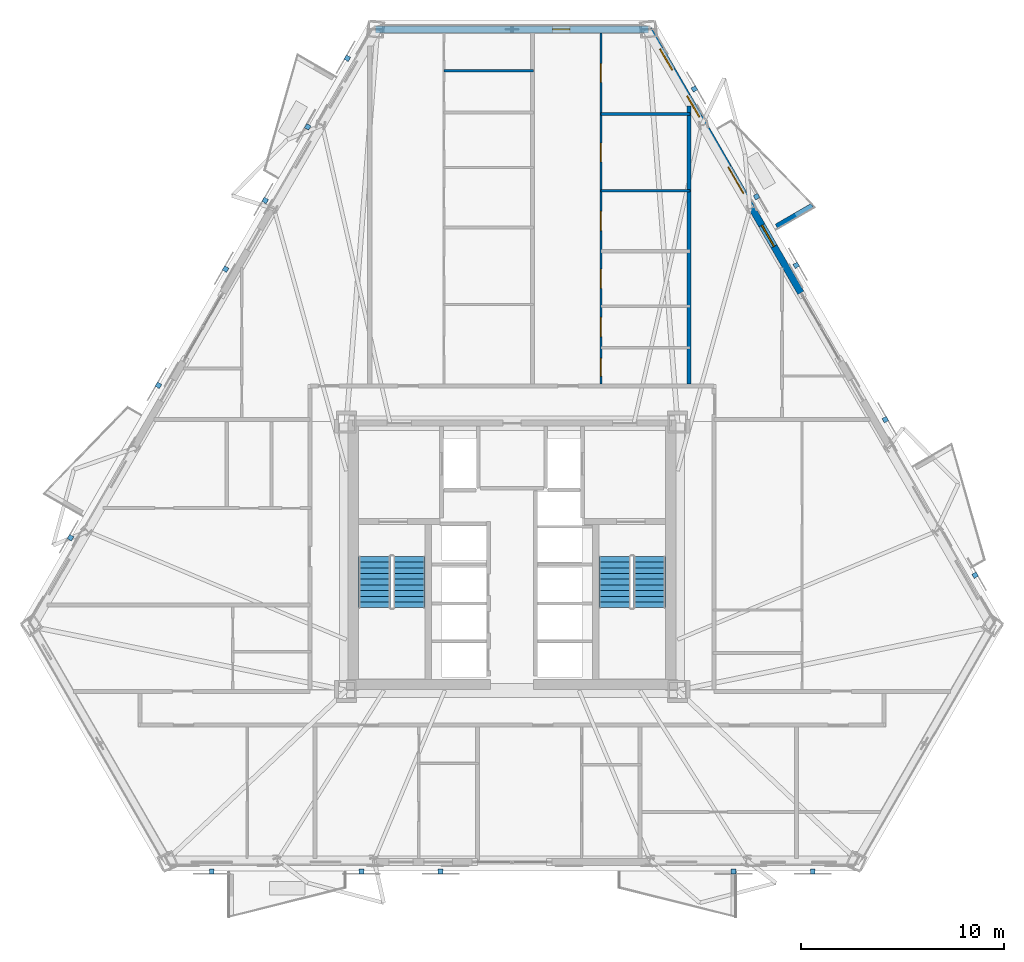
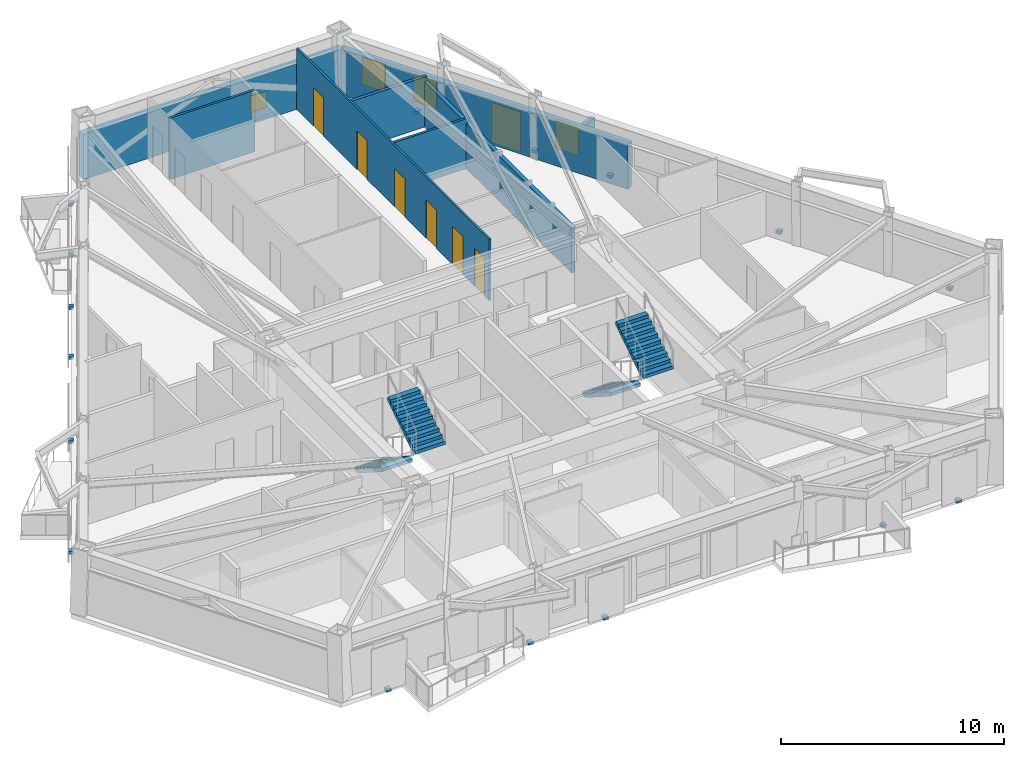
# One storey, part 13 of 17: 16 discrete accessories, 8 walls, 7 doors, 4 stair flights, 4 windows, 11 openings, 2 elements without a shape of their own.
"""IFC4 building model written with IfcOpenShell, lengths in metres."""

import ifcopenshell
import ifcopenshell.guid

model = None  # the IFC model being written
_history = None  # IfcOwnerHistory: only IFC2X3 demands one
_inside = {}  # id of a spatial element -> (the spatial element, [elements in it])
_under = {}  # id of a project, library or spatial element -> (it, [spatial elements below it])
_declared = {}  # id of a project -> (the project, [libraries it declares])
_typed = {}  # id of a type object -> (the type object, [elements of that type])
_made_of = {}  # id of a material, layer set ... -> (it, [elements and type objects made of it])


def new_model(schema):
    """Start an empty IFC model of exactly this schema.

    Asked for "IFC4X3", IfcOpenShell would pick the latest addendum, in which some entities
    have other attributes; the version numbers below select the first issue.
    IFC2X3 requires an IfcOwnerHistory on every rooted entity: one is made here for all.
    """
    global model, _history
    if schema == "IFC4X3":
        model = ifcopenshell.file(schema_version=(4, 3, 0, 0))
    else:
        model = ifcopenshell.file(schema=schema)
    _inside.clear()
    _under.clear()
    _declared.clear()
    _typed.clear()
    _made_of.clear()
    _history = None
    if model.schema == "IFC2X3":
        org = make("IfcOrganization", Name="unknown")
        user = make(
            "IfcPersonAndOrganization",
            ThePerson=make("IfcPerson", FamilyName="unknown"),
            TheOrganization=org,
        )
        app = make(
            "IfcApplication",
            ApplicationDeveloper=org,
            Version="unknown",
            ApplicationFullName="unknown",
            ApplicationIdentifier="unknown",
        )
        _history = make(
            "IfcOwnerHistory",
            OwningUser=user,
            OwningApplication=app,
            ChangeAction="ADDED",
            CreationDate=0,
        )
    return model


def make(cls, **values):
    """One entity of the class cls with the attributes given. An attribute that is None is left unset."""
    return model.create_entity(
        cls, **{name: value for name, value in values.items() if value is not None}
    )


def rooted(cls, **values):
    """An entity with a GlobalId (a new one), such as an element, a storey or a relation."""
    return make(cls, GlobalId=ifcopenshell.guid.new(), OwnerHistory=_history, **values)


def si_unit(unit_type, name, prefix=None):
    """IfcSIUnit, for example si_unit("LENGTHUNIT", "METRE", prefix="MILLI")."""
    return make("IfcSIUnit", UnitType=unit_type, Prefix=prefix, Name=name)


def assignment(units):
    """IfcUnitAssignment: the units of a project."""
    return None if units is None else make("IfcUnitAssignment", Units=units)


def point(xyz):
    """IfcCartesianPoint."""
    return None if xyz is None else make("IfcCartesianPoint", Coordinates=xyz)


def direction(xyz):
    """IfcDirection."""
    return None if xyz is None else make("IfcDirection", DirectionRatios=xyz)


def frame(location, z_axis=None, x_axis=None):
    """IfcAxis2Placement3D, a coordinate frame: its origin and axes. An axis left out is left unset."""
    return make(
        "IfcAxis2Placement3D",
        Location=point(location),
        Axis=direction(z_axis),
        RefDirection=direction(x_axis),
    )


def frame_2d(location, x_axis=None):
    """IfcAxis2Placement2D, a coordinate frame in the plane: its origin and x axis."""
    return make(
        "IfcAxis2Placement2D", Location=point(location), RefDirection=direction(x_axis)
    )


def origin():
    """The frame at (0, 0, 0) with its axes left unset."""
    return frame((0.0, 0.0, 0.0))


def origin_2d():
    """The frame at (0, 0) in the plane with its x axis left unset."""
    return frame_2d((0.0, 0.0))


def place(relative_to, where):
    """IfcLocalPlacement: puts the frame where relative to a parent placement (None: the world)."""
    return make(
        "IfcLocalPlacement", PlacementRelTo=relative_to, RelativePlacement=where
    )


def context(
    kind, dimensions, precision=None, world=None, true_north=None, identifier=None
):
    """IfcGeometricRepresentationContext, for example the 3D "Model" context."""
    return make(
        "IfcGeometricRepresentationContext",
        ContextIdentifier=identifier,
        ContextType=kind,
        CoordinateSpaceDimension=dimensions,
        Precision=precision,
        WorldCoordinateSystem=world,
        TrueNorth=true_north,
    )


def subcontext(parent, identifier, kind, view, scale=None):
    """IfcGeometricRepresentationSubContext, for example "Body" below "Model"."""
    return make(
        "IfcGeometricRepresentationSubContext",
        ContextIdentifier=identifier,
        ContextType=kind,
        ParentContext=parent,
        TargetScale=scale,
        TargetView=view,
    )


def project(units=None, contexts=None):
    """IfcProject with its units and contexts."""
    return rooted(
        "IfcProject",
        Name="project",
        RepresentationContexts=contexts,
        UnitsInContext=assignment(units),
    )


def spatial(cls, under=None, at=None, **own):
    """A site, building, storey or space (cls), placed at a placement, below another one or the project."""
    s = rooted(cls, ObjectPlacement=at, **own)
    if under is not None:
        _under.setdefault(under.id(), (under, []))[1].append(s)
    return s


def polyline(points):
    """IfcPolyline through the points."""
    return make("IfcPolyline", Points=[point(p) for p in points])


def profile(cls, at=None, kind="AREA", **sizes):
    """A parametric profile (cls). Its sizes go by their IFC names, for example OverallWidth=200.0."""
    return make(cls, ProfileType=kind, Position=at, **sizes)


def rectangle(**sizes):
    """IfcRectangleProfileDef."""
    return profile("IfcRectangleProfileDef", **sizes)


def outline(outer, holes=None, kind="AREA"):
    """IfcArbitraryClosedProfileDef: a profile drawn as a closed curve; with holes, ...WithVoids."""
    if holes is None:
        return make("IfcArbitraryClosedProfileDef", ProfileType=kind, OuterCurve=outer)
    return make(
        "IfcArbitraryProfileDefWithVoids",
        ProfileType=kind,
        OuterCurve=outer,
        InnerCurves=holes,
    )


def extrude(swept, where, along, depth):
    """IfcExtrudedAreaSolid: the profile swept, set in the frame where, extruded along a direction by depth."""
    return make(
        "IfcExtrudedAreaSolid",
        SweptArea=swept,
        Position=where,
        ExtrudedDirection=direction(along),
        Depth=depth,
    )


def shape(context_of_items, identifier, shape_type, items):
    """IfcShapeRepresentation: the items that make up one representation, for example the "Body"."""
    return make(
        "IfcShapeRepresentation",
        ContextOfItems=context_of_items,
        RepresentationIdentifier=identifier,
        RepresentationType=shape_type,
        Items=items,
    )


def material(Name=None, Category=None):
    """IfcMaterial."""
    return make("IfcMaterial", Name=Name, Category=Category)


def layer(
    of_material, thickness, ventilated=None, Name=None, Category=None, Priority=None
):
    """IfcMaterialLayer: one layer of a wall or slab, of a material (None: an air gap)."""
    return make(
        "IfcMaterialLayer",
        Material=of_material,
        LayerThickness=thickness,
        IsVentilated=ventilated,
        Name=Name,
        Category=Category,
        Priority=Priority,
    )


def layer_set(layers, Name=None):
    """IfcMaterialLayerSet."""
    return make("IfcMaterialLayerSet", MaterialLayers=layers, LayerSetName=Name)


def made_of(thing, what):
    """Note that an element or type object is made of a material, layer set ...; save() writes the relation."""
    if what is not None:
        _made_of.setdefault(what.id(), (what, []))[1].append(thing)
    return thing


def type_object(cls, material=None, **own):
    """A type object (cls), such as IfcWallType, which elements share."""
    return made_of(rooted(cls, **own), material)


def element(
    cls,
    number,
    at=None,
    inside=None,
    cuts=None,
    type_object=None,
    material=None,
    context=None,
    identifier="Body",
    shape_type=None,
    held_by="IfcProductDefinitionShape",
    body=None,
    shapes=None,
    **own,
):
    """One element of the class cls, such as IfcWall. Its Tag is "e" and its number.

    at: its placement. inside: the storey or other place that contains it. cuts: it is an
    opening in that element (IfcRelVoidsElement). A single representation is given by context,
    identifier, shape_type and body (its items); several are given by shapes. held_by: the class
    of the entity that holds the representations. save() writes the other relations.
    """
    e = rooted(cls, Tag="e%d" % number, ObjectPlacement=at, **own)
    if body is not None:
        shapes = [shape(context, identifier, shape_type, body)]
    if shapes is not None:
        e.Representation = make(held_by, Representations=shapes)
    if inside is not None:
        _inside.setdefault(inside.id(), (inside, []))[1].append(e)
    if cuts is not None:
        rooted(
            "IfcRelVoidsElement", RelatingBuildingElement=cuts, RelatedOpeningElement=e
        )
    if type_object is not None:
        _typed.setdefault(type_object.id(), (type_object, []))[1].append(e)
    return made_of(e, material)


def fill(opening, filler):
    """IfcRelFillsElement: the door or window that sits in an opening."""
    return rooted(
        "IfcRelFillsElement",
        RelatingOpeningElement=opening,
        RelatedBuildingElement=filler,
    )


def aggregate(whole, parts):
    """IfcRelAggregates: a whole, such as a stair, and the parts it consists of."""
    return rooted("IfcRelAggregates", RelatingObject=whole, RelatedObjects=parts)


def save(model, path):
    """Write the relations noted so far, then the file.

    IfcRelAggregates (storeys below a building ...), IfcRelContainedInSpatialStructure (elements
    in a storey), IfcRelDefinesByType, IfcRelAssociatesMaterial and IfcRelDeclares: one each for
    every whole, place, type object, material and project.
    """
    for whole, parts in _under.values():
        aggregate(whole, parts)
    for where, things in _inside.values():
        rooted(
            "IfcRelContainedInSpatialStructure",
            RelatedElements=things,
            RelatingStructure=where,
        )
    for kind, things in _typed.values():
        rooted("IfcRelDefinesByType", RelatedObjects=things, RelatingType=kind)
    for what, things in _made_of.values():
        rooted("IfcRelAssociatesMaterial", RelatedObjects=things, RelatingMaterial=what)
    for by, libraries in _declared.values():
        rooted("IfcRelDeclares", RelatingContext=by, RelatedDefinitions=libraries)
    model.write(path)


model = new_model("IFC4")

# Units and contexts
model_context = context("Model", 3, precision=1e-05, world=origin(), true_north=direction((0.0, 1.0)))
body_context = subcontext(model_context, "Body", "Model", "MODEL_VIEW")
ifc_project = project(units=[si_unit("LENGTHUNIT", "METRE"), si_unit("AREAUNIT", "SQUARE_METRE"), si_unit("VOLUMEUNIT", "CUBIC_METRE"), si_unit("PLANEANGLEUNIT", "RADIAN"), si_unit("MASSUNIT", "GRAM", prefix="KILO")], contexts=[model_context])

# Site, building, storey
site_placement = place(None, origin())
site = spatial("IfcSite", under=ifc_project, at=site_placement, CompositionType="ELEMENT")
building_placement = place(site_placement, origin())
building = spatial("IfcBuilding", under=site, at=building_placement, Name="Oramaril Tower", CompositionType="ELEMENT")
storey_placement = place(building_placement, frame((0.0, 0.0, 70.5)))
storey = spatial("IfcBuildingStorey", under=building, at=storey_placement, Name="L18", CompositionType="ELEMENT", Elevation=70.5)

# Wall, openings, door, windows
ifc_material_1 = material(Name="Warm Cream Limestone", Category="masonry")
ifc_layer_1 = layer(ifc_material_1, 0.340087890625)
ifc_layer_set_1 = layer_set([ifc_layer_1], Name="WT-EXT34")
wall_type_1 = type_object("IfcWallType", Name="WT-EXT34", PredefinedType="SOLIDWALL", material=ifc_layer_set_1)
wall_1_placement = place(storey_placement, frame((51.714599609375, 30.558349609375, 0.0), z_axis=(0.0, 0.0, 1.0), x_axis=(-0.499992928635, 0.8660294864, 0.0)))
wall_1 = element("IfcWall", 1, at=wall_1_placement, inside=storey, type_object=wall_type_1, Name="L18 Tower Limestone Facade Wall 4R", PredefinedType="SOLIDWALL", context=body_context, shape_type="SweptSolid", body=[
    extrude(rectangle(XDim=14.975830078125, YDim=0.340087890625, at=frame_2d((7.48779296875, 0.0))), origin(), (0.0, 0.0, 1.0), 2.493896484375),
])
opening_1_placement = place(wall_1_placement, frame((5.6513671875, 0.0, 0.0)))
opening_1 = element("IfcOpeningElement", 2, at=opening_1_placement, cuts=wall_1, Name="Opening D-L18-BAL-NE2", PredefinedType="OPENING", context=body_context, shape_type="SweptSolid", body=[
    extrude(rectangle(XDim=1.5, YDim=2.199951171875, at=frame_2d((0.75, 1.10009765625))), frame((0.0, 0.169921875, 0.0), z_axis=(0.0, -1.0, 0.0), x_axis=(1.0, 0.0, 0.0)), (0.0, 0.0, 1.0), 0.340087890625),
])
opening_2_placement = place(wall_1_placement, frame((12.662841796875, 0.0, 0.85009765625)))
opening_2 = element("IfcOpeningElement", 3, at=opening_2_placement, cuts=wall_1, Name="Opening WN-09", PredefinedType="OPENING", context=body_context, shape_type="SweptSolid", body=[
    extrude(rectangle(XDim=1.199951171875, YDim=1.47998046875, at=frame_2d((0.60009765625, 0.739990234375))), frame((0.0, 0.169921875, 0.0), z_axis=(0.0, -1.0, 0.0), x_axis=(1.0, 0.0, 0.0)), (0.0, 0.0, 1.0), 0.340087890625),
])
opening_3_placement = place(wall_1_placement, frame((2.6416015625, 0.0, 0.85009765625)))
opening_3 = element("IfcOpeningElement", 4, at=opening_3_placement, cuts=wall_1, Name="Opening WN-09", PredefinedType="OPENING", context=body_context, shape_type="SweptSolid", body=[
    extrude(rectangle(XDim=1.199951171875, YDim=1.47998046875, at=frame_2d((0.60009765625, 0.739990234375))), frame((0.0, 0.169921875, 0.0), z_axis=(0.0, -1.0, 0.0), x_axis=(1.0, 0.0, 0.0)), (0.0, 0.0, 1.0), 0.340087890625),
])
opening_4_placement = place(wall_1_placement, frame((9.992919921875, 0.0, 0.85009765625)))
opening_4 = element("IfcOpeningElement", 5, at=opening_4_placement, cuts=wall_1, Name="Opening WN-09", PredefinedType="OPENING", context=body_context, shape_type="SweptSolid", body=[
    extrude(rectangle(XDim=1.199951171875, YDim=1.47998046875, at=frame_2d((0.60009765625, 0.739990234375))), frame((0.0, 0.169921875, 0.0), z_axis=(0.0, -1.0, 0.0), x_axis=(1.0, 0.0, 0.0)), (0.0, 0.0, 1.0), 0.340087890625),
])
ifc_material_2 = material(Name="Anodised Aluminium 6063-T6", Category="aluminium")
door_type_1 = type_object("IfcDoorType", Name="DT-BAL", OperationType="NOTDEFINED", PredefinedType="DOOR", material=ifc_material_2)
door_1_placement = place(opening_1_placement, origin())
door_1 = element("IfcDoor", 6, at=door_1_placement, inside=storey, type_object=door_type_1, Name="L18 Balcony Glazed Door L18-BAL-NE2", OperationType="SINGLE_SWING_RIGHT", OverallHeight=2.199951171875, OverallWidth=1.5, PredefinedType="DOOR", context=body_context, shape_type="SweptSolid", body=[
    extrude(rectangle(XDim=1.5, YDim=2.199951171875, at=frame_2d((0.75, 1.10009765625))), frame((0.0, 0.02490234375, 0.0), z_axis=(0.0, -1.0, 0.0), x_axis=(1.0, 0.0, 0.0)), (0.0, 0.0, 1.0), 0.050048828125),
])
fill(opening_1, door_1)
ifc_material_3 = material(Name="Coastal Low-E Insulated Glass", Category="glass")
window_type_1 = type_object("IfcWindowType", Name="WNT-09", PartitioningType="SINGLE_PANEL", PredefinedType="WINDOW", material=ifc_material_3)
window_1_placement = place(opening_2_placement, origin())
window_1 = element("IfcWindow", 7, at=window_1_placement, inside=storey, type_object=window_type_1, Name="L18 Chicago Bay Window WN-09", OverallHeight=1.47998046875, OverallWidth=1.199951171875, PartitioningType="SINGLE_PANEL", PredefinedType="WINDOW", context=body_context, shape_type="SweptSolid", body=[
    extrude(rectangle(XDim=1.199951171875, YDim=1.47998046875, at=frame_2d((0.60009765625, 0.739990234375))), frame((0.0, 0.030029296875, 0.0), z_axis=(0.0, -1.0, 0.0), x_axis=(1.0, 0.0, 0.0)), (0.0, 0.0, 1.0), 0.06005859375),
])
fill(opening_2, window_1)
window_2_placement = place(opening_3_placement, origin())
window_2 = element("IfcWindow", 8, at=window_2_placement, inside=storey, type_object=window_type_1, Name="L18 Chicago Bay Window WN-09", OverallHeight=1.47998046875, OverallWidth=1.199951171875, PartitioningType="SINGLE_PANEL", PredefinedType="WINDOW", context=body_context, shape_type="SweptSolid", body=[
    extrude(rectangle(XDim=1.199951171875, YDim=1.47998046875, at=frame_2d((0.60009765625, 0.739990234375))), frame((0.0, 0.030029296875, 0.0), z_axis=(0.0, -1.0, 0.0), x_axis=(1.0, 0.0, 0.0)), (0.0, 0.0, 1.0), 0.06005859375),
])
fill(opening_3, window_2)
window_3_placement = place(opening_4_placement, origin())
window_3 = element("IfcWindow", 9, at=window_3_placement, inside=storey, type_object=window_type_1, Name="L18 Apartment Bedroom Window WN-09", OverallHeight=1.47998046875, OverallWidth=1.199951171875, PartitioningType="SINGLE_PANEL", PredefinedType="WINDOW", context=body_context, shape_type="SweptSolid", body=[
    extrude(rectangle(XDim=1.199951171875, YDim=1.47998046875, at=frame_2d((0.60009765625, 0.739990234375))), frame((0.0, 0.030029296875, 0.0), z_axis=(0.0, -1.0, 0.0), x_axis=(1.0, 0.0, 0.0)), (0.0, 0.0, 1.0), 0.06005859375),
])
fill(opening_4, window_3)

# Wall, opening, window
wall_2_placement = place(storey_placement, frame((44.226806640625, 43.52783203125, 0.0), z_axis=(0.0, 0.0, 1.0), x_axis=(-1.0, 0.0, 0.0)))
wall_2 = element("IfcWall", 10, at=wall_2_placement, inside=storey, type_object=wall_type_1, Name="L18 Tower Limestone Facade Wall 5M", PredefinedType="SOLIDWALL", context=body_context, shape_type="SweptSolid", body=[
    extrude(rectangle(XDim=13.45361328125, YDim=0.340087890625, at=frame_2d((6.726806640625, 0.0))), origin(), (0.0, 0.0, 1.0), 2.493896484375),
])
opening_5_placement = place(wall_2_placement, frame((3.875, 0.0, 0.52001953125)))
opening_5 = element("IfcOpeningElement", 11, at=opening_5_placement, cuts=wall_2, Name="Opening WN-13", PredefinedType="OPENING", context=body_context, shape_type="SweptSolid", body=[
    extrude(rectangle(XDim=0.85009765625, YDim=0.919921875, at=frame_2d((0.425048828125, 0.4599609375))), frame((0.0, 0.169921875, 0.0), z_axis=(0.0, -1.0, 0.0), x_axis=(1.0, 0.0, 0.0)), (0.0, 0.0, 1.0), 0.340087890625),
])
ifc_material_4 = material(Name="Coastal Low-E Insulated Glass", Category="glass")
window_type_2 = type_object("IfcWindowType", Name="WNT-13", PartitioningType="SINGLE_PANEL", PredefinedType="WINDOW", material=ifc_material_4)
window_4_placement = place(opening_5_placement, origin())
window_4 = element("IfcWindow", 12, at=window_4_placement, inside=storey, type_object=window_type_2, Name="L18 Apartment Bedroom Window WN-13", OverallHeight=0.919921875, OverallWidth=0.85009765625, PartitioningType="SINGLE_PANEL", PredefinedType="WINDOW", context=body_context, shape_type="SweptSolid", body=[
    extrude(rectangle(XDim=0.85009765625, YDim=0.919921875, at=frame_2d((0.425048828125, 0.4599609375))), frame((0.0, 0.030029296875, 0.0), z_axis=(0.0, -1.0, 0.0), x_axis=(1.0, 0.0, 0.0)), (0.0, 0.0, 1.0), 0.06005859375),
])
fill(opening_5, window_4)

# Wall
ifc_material_5 = material(Name="Concrete C40/50", Category="concrete")
ifc_layer_2 = layer(ifc_material_5, 0.22998046875)
ifc_layer_set_2 = layer_set([ifc_layer_2], Name="WT-PRP23")
wall_type_2 = type_object("IfcWallType", Name="WT-PRP23", PredefinedType="PARAPET", material=ifc_layer_set_2)
wall_3_placement = place(storey_placement, frame((50.50927734375, 33.842041015625, 0.0), z_axis=(0.0, 0.0, 1.0), x_axis=(0.866012356593, 0.500022597718, 0.0)))
element("IfcWall", 13, at=wall_3_placement, inside=storey, type_object=wall_type_2, Name="L18 Trapezoidal Balcony Frame Cheek L18-BAL-NE2-L", PredefinedType="PARAPET", context=body_context, shape_type="SweptSolid", body=[
    extrude(outline(polyline([(0.0, 0.0), (2.0419921875, 0.0), (2.0419921875, 1.10009765625), (0.0, 1.320068359375), (0.0, 0.0)])), frame((0.0, 0.114990234375, 0.0), z_axis=(0.0, -1.0, 0.0), x_axis=(1.0, 0.0, 0.0)), (0.0, 0.0, 1.0), 0.22998046875),
])

# Wall, openings, doors
ifc_material_6 = material(Name="Acoustic Gypsum Board Partition")
ifc_layer_3 = layer(ifc_material_6, 0.10009765625)
ifc_layer_set_3 = layer_set([ifc_layer_3], Name="WT-PT10")
wall_type_3 = type_object("IfcWallType", Name="WT-PT10", PredefinedType="PARTITIONING", material=ifc_layer_set_3)
wall_4_placement = place(storey_placement, frame((41.8701171875, 26.073974609375, 0.0), z_axis=(0.0, 0.0, 1.0), x_axis=(0.0, 1.0, 0.0)))
wall_4 = element("IfcWall", 14, at=wall_4_placement, inside=storey, type_object=wall_type_3, Name="L18 Interior Partition PT-10", PredefinedType="PARTITIONING", context=body_context, shape_type="SweptSolid", body=[
    extrude(rectangle(XDim=17.27978515625, YDim=0.10009765625, at=frame_2d((8.639892578125, 0.0))), origin(), (0.0, 0.0, 1.0), 3.360107421875),
])
opening_6_placement = place(wall_4_placement, frame((0.385986328125, 0.0, 0.0)))
opening_6 = element("IfcOpeningElement", 15, at=opening_6_placement, cuts=wall_4, Name="Opening D-L18-32", PredefinedType="OPENING", context=body_context, shape_type="SweptSolid", body=[
    extrude(rectangle(XDim=0.8798828125, YDim=2.080078125, at=frame_2d((0.43994140625, 1.0400390625))), frame((0.0, 0.050048828125, 0.0), z_axis=(0.0, -1.0, 0.0), x_axis=(1.0, 0.0, 0.0)), (0.0, 0.0, 1.0), 0.10009765625),
])
opening_7_placement = place(wall_4_placement, frame((2.3359375, 0.0, 0.0)))
opening_7 = element("IfcOpeningElement", 16, at=opening_7_placement, cuts=wall_4, Name="Opening D-L18-33", PredefinedType="OPENING", context=body_context, shape_type="SweptSolid", body=[
    extrude(rectangle(XDim=0.949951171875, YDim=2.10009765625, at=frame_2d((0.47509765625, 1.050048828125))), frame((0.0, 0.050048828125, 0.0), z_axis=(0.0, -1.0, 0.0), x_axis=(1.0, 0.0, 0.0)), (0.0, 0.0, 1.0), 0.10009765625),
])
opening_8_placement = place(wall_4_placement, frame((4.710693359375, 0.0, 0.0)))
opening_8 = element("IfcOpeningElement", 17, at=opening_8_placement, cuts=wall_4, Name="Opening D-L18-34", PredefinedType="OPENING", context=body_context, shape_type="SweptSolid", body=[
    extrude(rectangle(XDim=0.949951171875, YDim=2.10009765625, at=frame_2d((0.47509765625, 1.050048828125))), frame((0.0, 0.050048828125, 0.0), z_axis=(0.0, -1.0, 0.0), x_axis=(1.0, 0.0, 0.0)), (0.0, 0.0, 1.0), 0.10009765625),
])
opening_9_placement = place(wall_4_placement, frame((7.54541015625, 0.0, 0.0)))
opening_9 = element("IfcOpeningElement", 18, at=opening_9_placement, cuts=wall_4, Name="Opening D-L18-35", PredefinedType="OPENING", context=body_context, shape_type="SweptSolid", body=[
    extrude(rectangle(XDim=0.949951171875, YDim=2.10009765625, at=frame_2d((0.47509765625, 1.050048828125))), frame((0.0, 0.050048828125, 0.0), z_axis=(0.0, -1.0, 0.0), x_axis=(1.0, 0.0, 0.0)), (0.0, 0.0, 1.0), 0.10009765625),
])
opening_10_placement = place(wall_4_placement, frame((10.934814453125, 0.0, 0.0)))
opening_10 = element("IfcOpeningElement", 19, at=opening_10_placement, cuts=wall_4, Name="Opening D-L18-36", PredefinedType="OPENING", context=body_context, shape_type="SweptSolid", body=[
    extrude(rectangle(XDim=0.919921875, YDim=2.1201171875, at=frame_2d((0.4599609375, 1.06005859375))), frame((0.0, 0.050048828125, 0.0), z_axis=(0.0, -1.0, 0.0), x_axis=(1.0, 0.0, 0.0)), (0.0, 0.0, 1.0), 0.10009765625),
])
opening_11_placement = place(wall_4_placement, frame((14.84912109375, 0.0, 0.0)))
opening_11 = element("IfcOpeningElement", 20, at=opening_11_placement, cuts=wall_4, Name="Opening D-L18-37", PredefinedType="OPENING", context=body_context, shape_type="SweptSolid", body=[
    extrude(rectangle(XDim=0.919921875, YDim=2.1201171875, at=frame_2d((0.4599609375, 1.06005859375))), frame((0.0, 0.050048828125, 0.0), z_axis=(0.0, -1.0, 0.0), x_axis=(1.0, 0.0, 0.0)), (0.0, 0.0, 1.0), 0.10009765625),
])
ifc_material_7 = material(Name="FSC Brazilian Freijo Hardwood", Category="wood")
door_type_2 = type_object("IfcDoorType", Name="DT-BATH", OperationType="NOTDEFINED", PredefinedType="DOOR", material=ifc_material_7)
door_2_placement = place(opening_6_placement, origin())
door_2 = element("IfcDoor", 21, at=door_2_placement, inside=storey, type_object=door_type_2, Name="L18 Flat L18-U11 Bathroom Door D-L18-32", OperationType="SINGLE_SWING_LEFT", OverallHeight=2.080078125, OverallWidth=0.8798828125, PredefinedType="DOOR", context=body_context, shape_type="SweptSolid", body=[
    extrude(rectangle(XDim=0.8798828125, YDim=2.080078125, at=frame_2d((0.43994140625, 1.0400390625))), frame((0.0, 0.02490234375, 0.0), z_axis=(0.0, -1.0, 0.0), x_axis=(1.0, 0.0, 0.0)), (0.0, 0.0, 1.0), 0.050048828125),
])
fill(opening_6, door_2)
ifc_material_8 = material(Name="FSC Brazilian Freijo Hardwood", Category="wood")
door_type_3 = type_object("IfcDoorType", Name="DT-BED", OperationType="NOTDEFINED", PredefinedType="DOOR", material=ifc_material_8)
door_3_placement = place(opening_10_placement, origin())
door_3 = element("IfcDoor", 22, at=door_3_placement, inside=storey, type_object=door_type_3, Name="L18 Flat L18-U11 Bedroom 2 Door D-L18-36", OperationType="SINGLE_SWING_LEFT", OverallHeight=2.1201171875, OverallWidth=0.919921875, PredefinedType="DOOR", context=body_context, shape_type="SweptSolid", body=[
    extrude(rectangle(XDim=0.919921875, YDim=2.1201171875, at=frame_2d((0.4599609375, 1.06005859375))), frame((0.0, 0.02490234375, 0.0), z_axis=(0.0, -1.0, 0.0), x_axis=(1.0, 0.0, 0.0)), (0.0, 0.0, 1.0), 0.050048828125),
])
fill(opening_10, door_3)
door_4_placement = place(opening_11_placement, origin())
door_4 = element("IfcDoor", 23, at=door_4_placement, inside=storey, type_object=door_type_3, Name="L18 Flat L18-U11 Master Bedroom Door D-L18-37", OperationType="SINGLE_SWING_RIGHT", OverallHeight=2.1201171875, OverallWidth=0.919921875, PredefinedType="DOOR", context=body_context, shape_type="SweptSolid", body=[
    extrude(rectangle(XDim=0.919921875, YDim=2.1201171875, at=frame_2d((0.4599609375, 1.06005859375))), frame((0.0, 0.02490234375, 0.0), z_axis=(0.0, -1.0, 0.0), x_axis=(1.0, 0.0, 0.0)), (0.0, 0.0, 1.0), 0.050048828125),
])
fill(opening_11, door_4)
ifc_material_9 = material(Name="FSC Brazilian Freijo Hardwood", Category="wood")
door_type_4 = type_object("IfcDoorType", Name="DT-STDY", OperationType="NOTDEFINED", PredefinedType="DOOR", material=ifc_material_9)
door_5_placement = place(opening_7_placement, origin())
door_5 = element("IfcDoor", 24, at=door_5_placement, inside=storey, type_object=door_type_4, Name="L18 Flat L18-U11 Kitchen Door D-L18-33", OperationType="SINGLE_SWING_RIGHT", OverallHeight=2.10009765625, OverallWidth=0.949951171875, PredefinedType="DOOR", context=body_context, shape_type="SweptSolid", body=[
    extrude(rectangle(XDim=0.949951171875, YDim=2.10009765625, at=frame_2d((0.47509765625, 1.050048828125))), frame((0.0, 0.02490234375, 0.0), z_axis=(0.0, -1.0, 0.0), x_axis=(1.0, 0.0, 0.0)), (0.0, 0.0, 1.0), 0.050048828125),
])
fill(opening_7, door_5)
door_6_placement = place(opening_8_placement, origin())
door_6 = element("IfcDoor", 25, at=door_6_placement, inside=storey, type_object=door_type_4, Name="L18 Flat L18-U11 Private Dining Room Door D-L18-34", OperationType="SINGLE_SWING_LEFT", OverallHeight=2.10009765625, OverallWidth=0.949951171875, PredefinedType="DOOR", context=body_context, shape_type="SweptSolid", body=[
    extrude(rectangle(XDim=0.949951171875, YDim=2.10009765625, at=frame_2d((0.47509765625, 1.050048828125))), frame((0.0, 0.02490234375, 0.0), z_axis=(0.0, -1.0, 0.0), x_axis=(1.0, 0.0, 0.0)), (0.0, 0.0, 1.0), 0.050048828125),
])
fill(opening_8, door_6)
door_7_placement = place(opening_9_placement, origin())
door_7 = element("IfcDoor", 26, at=door_7_placement, inside=storey, type_object=door_type_4, Name="L18 Flat L18-U11 Dining Room Door D-L18-35", OperationType="SINGLE_SWING_RIGHT", OverallHeight=2.10009765625, OverallWidth=0.949951171875, PredefinedType="DOOR", context=body_context, shape_type="SweptSolid", body=[
    extrude(rectangle(XDim=0.949951171875, YDim=2.10009765625, at=frame_2d((0.47509765625, 1.050048828125))), frame((0.0, 0.02490234375, 0.0), z_axis=(0.0, -1.0, 0.0), x_axis=(1.0, 0.0, 0.0)), (0.0, 0.0, 1.0), 0.050048828125),
])
fill(opening_9, door_7)

# Walls
ifc_material_10 = material(Name="Acoustic Gypsum Board Partition")
ifc_layer_4 = layer(ifc_material_10, 0.1201171875)
ifc_layer_set_4 = layer_set([ifc_layer_4], Name="WT-PT12")
wall_type_4 = type_object("IfcWallType", Name="WT-PT12", PredefinedType="PARTITIONING", material=ifc_layer_set_4)
wall_5_placement = place(storey_placement, frame((41.8701171875, 35.580078125, 0.0), z_axis=(0.0, 0.0, 1.0), x_axis=(1.0, 0.0, 0.0)))
element("IfcWall", 27, at=wall_5_placement, inside=storey, type_object=wall_type_4, Name="L18 Interior Partition PT-12", PredefinedType="PARTITIONING", context=body_context, shape_type="SweptSolid", body=[
    extrude(rectangle(XDim=4.3798828125, YDim=0.1201171875, at=frame_2d((2.18994140625, 0.0))), origin(), (0.0, 0.0, 1.0), 2.738037109375),
])
wall_6_placement = place(storey_placement, frame((34.14990234375, 41.489990234375, 0.0), z_axis=(0.0, 0.0, 1.0), x_axis=(1.0, 0.0, 0.0)))
element("IfcWall", 28, at=wall_6_placement, inside=storey, type_object=wall_type_4, Name="L18 Interior Partition PT-12", PredefinedType="PARTITIONING", context=body_context, shape_type="SweptSolid", body=[
    extrude(rectangle(XDim=4.400146484375, YDim=0.1201171875, at=frame_2d((2.2001953125, 0.0))), origin(), (0.0, 0.0, 1.0), 3.360107421875),
])
ifc_material_11 = material(Name="Acoustic Gypsum Board Partition")
ifc_layer_5 = layer(ifc_material_11, 0.159912109375)
ifc_layer_set_5 = layer_set([ifc_layer_5], Name="WT-PT16")
wall_type_5 = type_object("IfcWallType", Name="WT-PT16", PredefinedType="PARTITIONING", material=ifc_layer_set_5)
wall_7_placement = place(storey_placement, frame((41.8701171875, 39.360107421875, 0.0), z_axis=(0.0, 0.0, 1.0), x_axis=(1.0, 0.0, 0.0)))
element("IfcWall", 29, at=wall_7_placement, inside=storey, type_object=wall_type_5, Name="L18 Interior Partition PT-16", PredefinedType="PARTITIONING", context=body_context, shape_type="SweptSolid", body=[
    extrude(rectangle(XDim=4.3798828125, YDim=0.159912109375, at=frame_2d((2.18994140625, 0.0))), origin(), (0.0, 0.0, 1.0), 2.738037109375),
])
ifc_material_12 = material(Name="Autoclaved Cellular Concrete Block", Category="concrete")
ifc_layer_6 = layer(ifc_material_12, 0.199951171875)
ifc_layer_set_6 = layer_set([ifc_layer_6], Name="WT-PT20")
wall_type_6 = type_object("IfcWallType", Name="WT-PT20", PredefinedType="PARTITIONING", material=ifc_layer_set_6)
wall_8_placement = place(storey_placement, frame((46.199951171875, 26.073974609375, 0.0), z_axis=(0.0, 0.0, 1.0), x_axis=(0.0, 1.0, 0.0)))
element("IfcWall", 30, at=wall_8_placement, inside=storey, type_object=wall_type_6, Name="L18 Interior Partition PT-20", PredefinedType="PARTITIONING", context=body_context, shape_type="SweptSolid", body=[
    extrude(rectangle(XDim=13.68798828125, YDim=0.199951171875, at=frame_2d((6.843994140625, 0.0))), origin(), (0.0, 0.0, 1.0), 2.493896484375),
])

# Stair, stair flights
ifc_material_13 = material(Name="Concrete C50/60", Category="concrete")
stair_type = type_object("IfcStairType", Name="STT-DG-3600", PredefinedType="HALF_TURN_STAIR", material=ifc_material_13)
stair_1_placement = place(storey_placement, origin())
stair_1 = element("IfcStair", 31, at=stair_1_placement, inside=storey, type_object=stair_type, Name="L18 Protected PFP Exit Stair ST-1", PredefinedType="HALF_TURN_STAIR")
ifc_material_14 = material(Name="Concrete C50/60", Category="concrete")
stair_flight_type = type_object("IfcStairFlightType", Name="SFT-DG-3600", PredefinedType="STRAIGHT", material=ifc_material_14)
stair_flight_1_placement = place(storey_placement, frame((30.72998046875, 17.590087890625, 0.0), z_axis=(0.0, 0.0, 1.0), x_axis=(0.0, -1.0, 0.0)))
stair_flight_1 = element("IfcStairFlight", 32, at=stair_flight_1_placement, type_object=stair_flight_type, Name="ST-1 flight 1", NumberOfRisers=10, NumberOfTreads=9, PredefinedType="STRAIGHT", RiserHeight=0.18, TreadLength=0.28, context=body_context, shape_type="SweptSolid", body=[
    extrude(outline(polyline([(0.0, 0.0), (0.0, 0.179931640625), (0.280029296875, 0.179931640625), (0.280029296875, 0.360107421875), (0.56005859375, 0.360107421875), (0.56005859375, 0.5400390625), (0.840087890625, 0.5400390625), (0.840087890625, 0.719970703125), (1.1201171875, 0.719970703125), (1.1201171875, 0.89990234375), (1.39990234375, 0.89990234375), (1.39990234375, 1.080078125), (1.679931640625, 1.080078125), (1.679931640625, 1.260009765625), (1.9599609375, 1.260009765625), (1.9599609375, 1.43994140625), (2.239990234375, 1.43994140625), (2.239990234375, 1.6201171875), (2.52001953125, 1.6201171875), (2.52001953125, 1.800048828125), (2.52001953125, 1.44189453125), (0.277099609375, 0.0), (0.0, 0.0)])), frame((0.0, 0.780029296875, 0.0), z_axis=(0.0, -1.0, 0.0), x_axis=(1.0, 0.0, 0.0)), (0.0, 0.0, 1.0), 1.56005859375),
])
stair_flight_2_placement = place(storey_placement, frame((32.43994140625, 15.070068359375, 1.800048828125), z_axis=(0.0, 0.0, 1.0), x_axis=(0.0, 1.0, 0.0)))
stair_flight_2 = element("IfcStairFlight", 33, at=stair_flight_2_placement, type_object=stair_flight_type, Name="ST-1 flight 2", NumberOfRisers=10, NumberOfTreads=9, PredefinedType="STRAIGHT", RiserHeight=0.18, TreadLength=0.28, context=body_context, shape_type="SweptSolid", body=[
    extrude(outline(polyline([(0.0, 0.0), (0.0, 0.179931640625), (0.280029296875, 0.179931640625), (0.280029296875, 0.360107421875), (0.56005859375, 0.360107421875), (0.56005859375, 0.5400390625), (0.840087890625, 0.5400390625), (0.840087890625, 0.719970703125), (1.1201171875, 0.719970703125), (1.1201171875, 0.89990234375), (1.39990234375, 0.89990234375), (1.39990234375, 1.080078125), (1.679931640625, 1.080078125), (1.679931640625, 1.260009765625), (1.9599609375, 1.260009765625), (1.9599609375, 1.43994140625), (2.239990234375, 1.43994140625), (2.239990234375, 1.6201171875), (2.52001953125, 1.6201171875), (2.52001953125, 1.800048828125), (2.52001953125, 1.44189453125), (0.277099609375, 0.0), (0.0, 0.0)])), frame((0.0, 0.780029296875, 0.0), z_axis=(0.0, -1.0, 0.0), x_axis=(1.0, 0.0, 0.0)), (0.0, 0.0, 1.0), 1.56005859375),
])
aggregate(stair_1, [stair_flight_1, stair_flight_2])

stair_2_placement = place(storey_placement, origin())
stair_2 = element("IfcStair", 34, at=stair_2_placement, inside=storey, type_object=stair_type, Name="L18 Protected PFP Exit Stair ST-2", PredefinedType="HALF_TURN_STAIR")
stair_flight_3_placement = place(storey_placement, frame((42.56005859375, 17.590087890625, 0.0), z_axis=(0.0, 0.0, 1.0), x_axis=(0.0, -1.0, 0.0)))
stair_flight_3 = element("IfcStairFlight", 35, at=stair_flight_3_placement, type_object=stair_flight_type, Name="ST-2 flight 1", NumberOfRisers=10, NumberOfTreads=9, PredefinedType="STRAIGHT", RiserHeight=0.18, TreadLength=0.28, context=body_context, shape_type="SweptSolid", body=[
    extrude(outline(polyline([(0.0, 0.0), (0.0, 0.179931640625), (0.280029296875, 0.179931640625), (0.280029296875, 0.360107421875), (0.56005859375, 0.360107421875), (0.56005859375, 0.5400390625), (0.840087890625, 0.5400390625), (0.840087890625, 0.719970703125), (1.1201171875, 0.719970703125), (1.1201171875, 0.89990234375), (1.39990234375, 0.89990234375), (1.39990234375, 1.080078125), (1.679931640625, 1.080078125), (1.679931640625, 1.260009765625), (1.9599609375, 1.260009765625), (1.9599609375, 1.43994140625), (2.239990234375, 1.43994140625), (2.239990234375, 1.6201171875), (2.52001953125, 1.6201171875), (2.52001953125, 1.800048828125), (2.52001953125, 1.44189453125), (0.277099609375, 0.0), (0.0, 0.0)])), frame((0.0, 0.780029296875, 0.0), z_axis=(0.0, -1.0, 0.0), x_axis=(1.0, 0.0, 0.0)), (0.0, 0.0, 1.0), 1.56005859375),
])
stair_flight_4_placement = place(storey_placement, frame((44.27001953125, 15.070068359375, 1.800048828125), z_axis=(0.0, 0.0, 1.0), x_axis=(0.0, 1.0, 0.0)))
stair_flight_4 = element("IfcStairFlight", 36, at=stair_flight_4_placement, type_object=stair_flight_type, Name="ST-2 flight 2", NumberOfRisers=10, NumberOfTreads=9, PredefinedType="STRAIGHT", RiserHeight=0.18, TreadLength=0.28, context=body_context, shape_type="SweptSolid", body=[
    extrude(outline(polyline([(0.0, 0.0), (0.0, 0.179931640625), (0.280029296875, 0.179931640625), (0.280029296875, 0.360107421875), (0.56005859375, 0.360107421875), (0.56005859375, 0.5400390625), (0.840087890625, 0.5400390625), (0.840087890625, 0.719970703125), (1.1201171875, 0.719970703125), (1.1201171875, 0.89990234375), (1.39990234375, 0.89990234375), (1.39990234375, 1.080078125), (1.679931640625, 1.080078125), (1.679931640625, 1.260009765625), (1.9599609375, 1.260009765625), (1.9599609375, 1.43994140625), (2.239990234375, 1.43994140625), (2.239990234375, 1.6201171875), (2.52001953125, 1.6201171875), (2.52001953125, 1.800048828125), (2.52001953125, 1.44189453125), (0.277099609375, 0.0), (0.0, 0.0)])), frame((0.0, 0.780029296875, 0.0), z_axis=(0.0, -1.0, 0.0), x_axis=(1.0, 0.0, 0.0)), (0.0, 0.0, 1.0), 1.56005859375),
])
aggregate(stair_2, [stair_flight_3, stair_flight_4])

# Discrete accessories
for number, where, z_axis, x_axis, name in (
    (37, (22.723388671875, 2.08056640625, -0.14013671875), (0.0, 0.0, 1.0), (1.0, 0.0, 0.0), "L18 Solar Screen Slab Bracket"),
    (38, (30.089111328125, 2.08056640625, -0.14013671875), (0.0, 0.0, 1.0), (1.0, 0.0, 0.0), "L18 Solar Screen Slab Bracket"),
    (39, (33.9892578125, 2.08056640625, -0.14013671875), (0.0, 0.0, 1.0), (1.0, 0.0, 0.0), "L18 Solar Screen Slab Bracket"),
    (40, (48.401123046875, 2.08056640625, -0.14013671875), (0.0, 0.0, 1.0), (1.0, 0.0, 0.0), "L18 Solar Screen Slab Bracket"),
    (41, (52.301025390625, 2.08056640625, -0.14013671875), (0.0, 0.0, 1.0), (1.0, 0.0, 0.0), "L18 Solar Screen Slab Bracket"),
    (42, (60.2890625, 16.6669921875, -0.14013671875), (0.0, 0.0, 1.0), (-0.4999984885, 0.866026276448, 0.0), "L18 Solar Screen Slab Bracket"),
    (43, (55.869384765625, 24.322265625, -0.14013671875), (0.0, 0.0, 1.0), (-0.4999984885, 0.866026276448, 0.0), "L18 Solar Screen Slab Bracket"),
    (44, (46.473876953125, 40.595703125, -0.14013671875), (0.0, 0.0, 1.0), (-0.5, 0.866025403784, 0.0), "L18 Solar Screen Slab Bracket"),
    (45, (51.484375, 31.9169921875, -0.14013671875), (0.0, 0.0, 1.0), (-0.5, 0.866025403784, 0.0), "L18 Solar Screen Slab Bracket"),
    (46, (49.534423828125, 35.294677734375, -0.14013671875), (0.0, 0.0, 1.0), (-0.5, 0.866025403784, 0.0), "L18 Solar Screen Slab Bracket"),
    (47, (29.398193359375, 42.10595703125, -0.14013671875), (0.0, 0.0, 1.0), (-0.4999984885, -0.866026276448, 0.0), "L18 Solar Screen Slab Bracket"),
    (48, (27.4482421875, 38.728515625, -0.14013671875), (0.0, 0.0, 1.0), (-0.4999984885, -0.866026276448, 0.0), "L18 Solar Screen Slab Bracket"),
    (49, (25.3564453125, 35.10546875, -0.14013671875), (0.0, 0.0, 1.0), (-0.4999984885, -0.866026276448, 0.0), "L18 Solar Screen Slab Bracket"),
    (50, (23.406494140625, 31.72802734375, -0.14013671875), (0.0, 0.0, 1.0), (-0.4999984885, -0.866026276448, 0.0), "L18 Solar Screen Slab Bracket"),
    (51, (15.777099609375, 18.513916015625, -0.14013671875), (0.0, 0.0, 1.0), (-0.5, -0.866025403784, 0.0), "L18 Solar Screen Slab Bracket"),
    (52, (20.105712890625, 26.010986328125, -0.14013671875), (0.0, 0.0, 1.0), (-0.5, -0.866025403784, 0.0), "L18 Solar Screen Slab Bracket"),
):
    element("IfcDiscreteAccessory", number, at=place(storey_placement, frame(where, z_axis=z_axis, x_axis=x_axis)), inside=storey, Name=name, PredefinedType="BRACKET", context=body_context, shape_type="SweptSolid", body=[
        extrude(rectangle(XDim=0.239990234375, YDim=0.239990234375, at=origin_2d()), origin(), (0.0, 0.0, 1.0), 0.159912109375),
    ])

save(model, "model.ifc")
